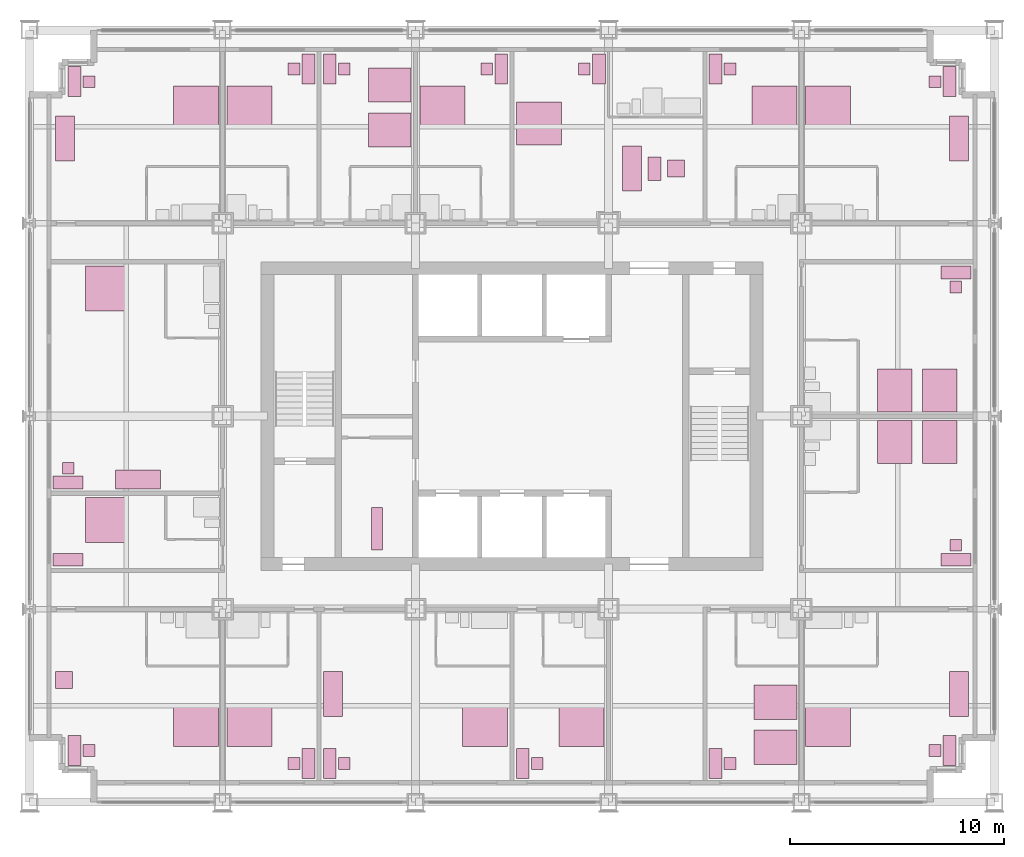
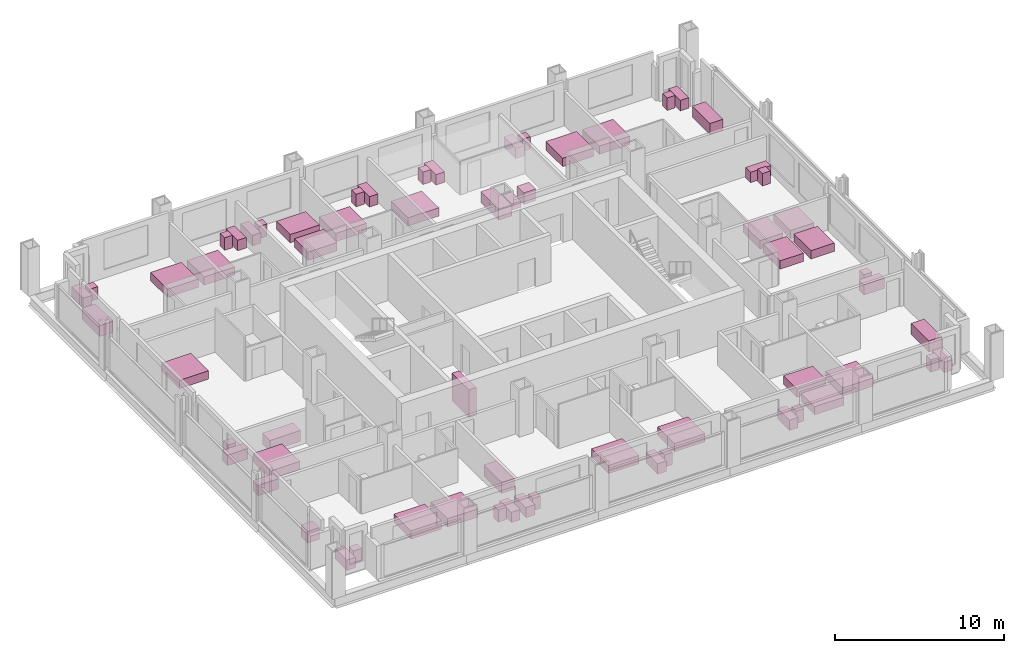
# One storey, part 16 of 16: 64 furniture elements.
"""IFC4 building model written with IfcOpenShell, lengths in metres."""

from ifc_helpers import new_model, si_unit, direction, frame, origin, origin_2d, place, context, subcontext, project, spatial, rectangle, extrude, element, save


model = new_model("IFC4")

# Units and contexts
model_context = context("Model", 3, precision=1e-05, world=origin(), true_north=direction((0.0, 1.0)))
body_context = subcontext(model_context, "Body", "Model", "MODEL_VIEW")
ifc_project = project(units=[si_unit("LENGTHUNIT", "METRE"), si_unit("AREAUNIT", "SQUARE_METRE"), si_unit("VOLUMEUNIT", "CUBIC_METRE"), si_unit("PLANEANGLEUNIT", "RADIAN"), si_unit("MASSUNIT", "GRAM", prefix="KILO")], contexts=[model_context])

# Site, building, storey
site_placement = place(None, origin())
site = spatial("IfcSite", under=ifc_project, at=site_placement, CompositionType="ELEMENT")
building_placement = place(site_placement, origin())
building = spatial("IfcBuilding", under=site, at=building_placement, Name="Loomwork Tower", CompositionType="ELEMENT")
storey_placement = place(building_placement, frame((0.0, 0.0, 97.60009765625)))
storey = spatial("IfcBuildingStorey", under=building, at=storey_placement, Name="L25", CompositionType="ELEMENT", Elevation=97.60009765625)

# Furniture
furniture_1_placement = place(storey_placement, frame((7.75, 3.60009765625, -0.000244140625), z_axis=(0.0, 0.0, 1.0), x_axis=(1.0, 0.0, 0.0)))
element("IfcFurniture", 1, at=furniture_1_placement, inside=storey, Name="King bed L25", PredefinedType="BED", context=body_context, shape_type="SweptSolid", body=[
    extrude(rectangle(XDim=2.10009765625, YDim=2.0, at=origin_2d()), origin(), (0.0, 0.0, 1.0), 0.60009765625),
])
furniture_2_placement = place(storey_placement, frame((2.10009765625, 2.39990234375, 0.0), z_axis=(0.0, 0.0, 1.0), x_axis=(1.0, 0.0, 0.0)))
element("IfcFurniture", 2, at=furniture_2_placement, inside=storey, Name="Writing desk L25", PredefinedType="DESK", context=body_context, shape_type="SweptSolid", body=[
    extrude(rectangle(XDim=0.60009765625, YDim=1.39990234375, at=origin_2d()), origin(), (0.0, 0.0, 1.0), 0.75),
])
furniture_3_placement = place(storey_placement, frame((2.77490234375, 2.39990234375, 0.0), z_axis=(0.0, 0.0, 1.0), x_axis=(1.0, 0.0, 0.0)))
element("IfcFurniture", 3, at=furniture_3_placement, inside=storey, Name="Desk chair L25", PredefinedType="CHAIR", context=body_context, shape_type="SweptSolid", body=[
    extrude(rectangle(XDim=0.550048828125, YDim=0.550048828125, at=origin_2d()), origin(), (0.0, 0.0, 1.0), 0.89990234375),
])
furniture_4_placement = place(storey_placement, frame((1.60009765625, 5.699951171875, -0.000244140625), z_axis=(0.0, 0.0, 1.0), x_axis=(1.0, 0.0, 0.0)))
element("IfcFurniture", 4, at=furniture_4_placement, inside=storey, Name="Lounge armchair L25", PredefinedType="CHAIR", context=body_context, shape_type="SweptSolid", body=[
    extrude(rectangle(XDim=0.800048828125, YDim=0.800048828125, at=origin_2d()), origin(), (0.0, 0.0, 1.0), 0.85009765625),
])
furniture_5_placement = place(storey_placement, frame((10.25, 3.60009765625, -0.000244140625), z_axis=(0.0, 0.0, 1.0), x_axis=(1.0, 0.0, 0.0)))
element("IfcFurniture", 5, at=furniture_5_placement, inside=storey, Name="King bed L25", PredefinedType="BED", context=body_context, shape_type="SweptSolid", body=[
    extrude(rectangle(XDim=2.10009765625, YDim=2.0, at=origin_2d()), origin(), (0.0, 0.0, 1.0), 0.60009765625),
])
furniture_6_placement = place(storey_placement, frame((13.0, 1.800048828125, 0.0), z_axis=(0.0, 0.0, 1.0), x_axis=(1.0, 0.0, 0.0)))
element("IfcFurniture", 6, at=furniture_6_placement, inside=storey, Name="Writing desk L25", PredefinedType="DESK", context=body_context, shape_type="SweptSolid", body=[
    extrude(rectangle(XDim=0.60009765625, YDim=1.39990234375, at=origin_2d()), origin(), (0.0, 0.0, 1.0), 0.75),
])
furniture_7_placement = place(storey_placement, frame((12.324951171875, 1.800048828125, 0.0), z_axis=(0.0, 0.0, 1.0), x_axis=(1.0, 0.0, 0.0)))
element("IfcFurniture", 7, at=furniture_7_placement, inside=storey, Name="Desk chair L25", PredefinedType="CHAIR", context=body_context, shape_type="SweptSolid", body=[
    extrude(rectangle(XDim=0.550048828125, YDim=0.550048828125, at=origin_2d()), origin(), (0.0, 0.0, 1.0), 0.89990234375),
])
furniture_8_placement = place(storey_placement, frame((21.25, 3.60009765625, -0.000244140625), z_axis=(0.0, 0.0, 1.0), x_axis=(1.0, 0.0, 0.0)))
element("IfcFurniture", 8, at=furniture_8_placement, inside=storey, Name="King bed L25", PredefinedType="BED", context=body_context, shape_type="SweptSolid", body=[
    extrude(rectangle(XDim=2.10009765625, YDim=2.0, at=origin_2d()), origin(), (0.0, 0.0, 1.0), 0.60009765625),
])
furniture_9_placement = place(storey_placement, frame((14.0, 1.800048828125, 0.0), z_axis=(0.0, 0.0, 1.0), x_axis=(1.0, 0.0, 0.0)))
element("IfcFurniture", 9, at=furniture_9_placement, inside=storey, Name="Writing desk L25", PredefinedType="DESK", context=body_context, shape_type="SweptSolid", body=[
    extrude(rectangle(XDim=0.60009765625, YDim=1.39990234375, at=origin_2d()), origin(), (0.0, 0.0, 1.0), 0.75),
])
furniture_10_placement = place(storey_placement, frame((14.675048828125, 1.800048828125, 0.0), z_axis=(0.0, 0.0, 1.0), x_axis=(1.0, 0.0, 0.0)))
element("IfcFurniture", 10, at=furniture_10_placement, inside=storey, Name="Desk chair L25", PredefinedType="CHAIR", context=body_context, shape_type="SweptSolid", body=[
    extrude(rectangle(XDim=0.550048828125, YDim=0.550048828125, at=origin_2d()), origin(), (0.0, 0.0, 1.0), 0.89990234375),
])
furniture_11_placement = place(storey_placement, frame((14.14990234375, 5.050048828125, 0.0), z_axis=(0.0, 0.0, 1.0), x_axis=(1.0, 0.0, 0.0)))
element("IfcFurniture", 11, at=furniture_11_placement, inside=storey, Name="Sofa L25", PredefinedType="SOFA", context=body_context, shape_type="SweptSolid", body=[
    extrude(rectangle(XDim=0.89990234375, YDim=2.10009765625, at=origin_2d()), origin(), (0.0, 0.0, 1.0), 0.800048828125),
])
furniture_12_placement = place(storey_placement, frame((25.75, 3.60009765625, -0.000244140625), z_axis=(0.0, 0.0, 1.0), x_axis=(1.0, 0.0, 0.0)))
element("IfcFurniture", 12, at=furniture_12_placement, inside=storey, Name="King bed L25", PredefinedType="BED", context=body_context, shape_type="SweptSolid", body=[
    extrude(rectangle(XDim=2.10009765625, YDim=2.0, at=origin_2d()), origin(), (0.0, 0.0, 1.0), 0.60009765625),
])
furniture_13_placement = place(storey_placement, frame((23.0, 1.800048828125, 0.0), z_axis=(0.0, 0.0, 1.0), x_axis=(1.0, 0.0, 0.0)))
element("IfcFurniture", 13, at=furniture_13_placement, inside=storey, Name="Writing desk L25", PredefinedType="DESK", context=body_context, shape_type="SweptSolid", body=[
    extrude(rectangle(XDim=0.60009765625, YDim=1.39990234375, at=origin_2d()), origin(), (0.0, 0.0, 1.0), 0.75),
])
furniture_14_placement = place(storey_placement, frame((23.675048828125, 1.800048828125, 0.0), z_axis=(0.0, 0.0, 1.0), x_axis=(1.0, 0.0, 0.0)))
element("IfcFurniture", 14, at=furniture_14_placement, inside=storey, Name="Desk chair L25", PredefinedType="CHAIR", context=body_context, shape_type="SweptSolid", body=[
    extrude(rectangle(XDim=0.550048828125, YDim=0.550048828125, at=origin_2d()), origin(), (0.0, 0.0, 1.0), 0.89990234375),
])
for number, where, z_axis, x_axis, name in (
    (15, (34.800048828125, 4.64990234375, -0.000244140625), (0.0, 0.0, 1.0), (1.0, 0.0, 0.0), "Queen bed L25"),
    (16, (34.800048828125, 2.550048828125, -0.000244140625), (0.0, 0.0, 1.0), (1.0, 0.0, 0.0), "Queen bed L25"),
):
    element("IfcFurniture", number, at=place(storey_placement, frame(where, z_axis=z_axis, x_axis=x_axis)), inside=storey, Name=name, PredefinedType="BED", context=body_context, shape_type="SweptSolid", body=[
        extrude(rectangle(XDim=2.0, YDim=1.60009765625, at=origin_2d()), origin(), (0.0, 0.0, 1.0), 0.60009765625),
    ])
furniture_15_placement = place(storey_placement, frame((32.0, 1.800048828125, 0.0), z_axis=(0.0, 0.0, 1.0), x_axis=(1.0, 0.0, 0.0)))
element("IfcFurniture", 17, at=furniture_15_placement, inside=storey, Name="Writing desk L25", PredefinedType="DESK", context=body_context, shape_type="SweptSolid", body=[
    extrude(rectangle(XDim=0.60009765625, YDim=1.39990234375, at=origin_2d()), origin(), (0.0, 0.0, 1.0), 0.75),
])
furniture_16_placement = place(storey_placement, frame((32.675048828125, 1.800048828125, 0.0), z_axis=(0.0, 0.0, 1.0), x_axis=(1.0, 0.0, 0.0)))
element("IfcFurniture", 18, at=furniture_16_placement, inside=storey, Name="Desk chair L25", PredefinedType="CHAIR", context=body_context, shape_type="SweptSolid", body=[
    extrude(rectangle(XDim=0.550048828125, YDim=0.550048828125, at=origin_2d()), origin(), (0.0, 0.0, 1.0), 0.89990234375),
])
furniture_17_placement = place(storey_placement, frame((37.25, 3.60009765625, -0.000244140625), z_axis=(0.0, 0.0, 1.0), x_axis=(1.0, 0.0, 0.0)))
element("IfcFurniture", 19, at=furniture_17_placement, inside=storey, Name="King bed L25", PredefinedType="BED", context=body_context, shape_type="SweptSolid", body=[
    extrude(rectangle(XDim=2.10009765625, YDim=2.0, at=origin_2d()), origin(), (0.0, 0.0, 1.0), 0.60009765625),
])
furniture_18_placement = place(storey_placement, frame((42.89990234375, 2.39990234375, 0.0), z_axis=(0.0, 0.0, 1.0), x_axis=(1.0, 0.0, 0.0)))
element("IfcFurniture", 20, at=furniture_18_placement, inside=storey, Name="Writing desk L25", PredefinedType="DESK", context=body_context, shape_type="SweptSolid", body=[
    extrude(rectangle(XDim=0.60009765625, YDim=1.39990234375, at=origin_2d()), origin(), (0.0, 0.0, 1.0), 0.75),
])
furniture_19_placement = place(storey_placement, frame((42.22509765625, 2.39990234375, 0.0), z_axis=(0.0, 0.0, 1.0), x_axis=(1.0, 0.0, 0.0)))
element("IfcFurniture", 21, at=furniture_19_placement, inside=storey, Name="Desk chair L25", PredefinedType="CHAIR", context=body_context, shape_type="SweptSolid", body=[
    extrude(rectangle(XDim=0.550048828125, YDim=0.550048828125, at=origin_2d()), origin(), (0.0, 0.0, 1.0), 0.89990234375),
])
furniture_20_placement = place(storey_placement, frame((43.35009765625, 5.050048828125, 0.0), z_axis=(0.0, 0.0, 1.0), x_axis=(1.0, 0.0, 0.0)))
element("IfcFurniture", 22, at=furniture_20_placement, inside=storey, Name="Sofa L25", PredefinedType="SOFA", context=body_context, shape_type="SweptSolid", body=[
    extrude(rectangle(XDim=0.89990234375, YDim=2.10009765625, at=origin_2d()), origin(), (0.0, 0.0, 1.0), 0.800048828125),
])
furniture_21_placement = place(storey_placement, frame((7.75, 32.39990234375, -0.000244140625), z_axis=(0.0, 0.0, 1.0), x_axis=(1.0, 0.0, 0.0)))
element("IfcFurniture", 23, at=furniture_21_placement, inside=storey, Name="King bed L25", PredefinedType="BED", context=body_context, shape_type="SweptSolid", body=[
    extrude(rectangle(XDim=2.10009765625, YDim=2.0, at=origin_2d()), origin(), (0.0, 0.0, 1.0), 0.60009765625),
])
furniture_22_placement = place(storey_placement, frame((2.10009765625, 33.60009765625, 0.0), z_axis=(0.0, 0.0, 1.0), x_axis=(1.0, 0.0, 0.0)))
element("IfcFurniture", 24, at=furniture_22_placement, inside=storey, Name="Writing desk L25", PredefinedType="DESK", context=body_context, shape_type="SweptSolid", body=[
    extrude(rectangle(XDim=0.60009765625, YDim=1.39990234375, at=origin_2d()), origin(), (0.0, 0.0, 1.0), 0.75),
])
furniture_23_placement = place(storey_placement, frame((2.77490234375, 33.60009765625, 0.0), z_axis=(0.0, 0.0, 1.0), x_axis=(1.0, 0.0, 0.0)))
element("IfcFurniture", 25, at=furniture_23_placement, inside=storey, Name="Desk chair L25", PredefinedType="CHAIR", context=body_context, shape_type="SweptSolid", body=[
    extrude(rectangle(XDim=0.550048828125, YDim=0.550048828125, at=origin_2d()), origin(), (0.0, 0.0, 1.0), 0.89990234375),
])
furniture_24_placement = place(storey_placement, frame((1.64990234375, 30.949951171875, 0.0), z_axis=(0.0, 0.0, 1.0), x_axis=(1.0, 0.0, 0.0)))
element("IfcFurniture", 26, at=furniture_24_placement, inside=storey, Name="Sofa L25", PredefinedType="SOFA", context=body_context, shape_type="SweptSolid", body=[
    extrude(rectangle(XDim=0.89990234375, YDim=2.10009765625, at=origin_2d()), origin(), (0.0, 0.0, 1.0), 0.800048828125),
])
furniture_25_placement = place(storey_placement, frame((10.25, 32.39990234375, -0.000244140625), z_axis=(0.0, 0.0, 1.0), x_axis=(1.0, 0.0, 0.0)))
element("IfcFurniture", 27, at=furniture_25_placement, inside=storey, Name="King bed L25", PredefinedType="BED", context=body_context, shape_type="SweptSolid", body=[
    extrude(rectangle(XDim=2.10009765625, YDim=2.0, at=origin_2d()), origin(), (0.0, 0.0, 1.0), 0.60009765625),
])
furniture_26_placement = place(storey_placement, frame((13.0, 34.199951171875, 0.0), z_axis=(0.0, 0.0, 1.0), x_axis=(1.0, 0.0, 0.0)))
element("IfcFurniture", 28, at=furniture_26_placement, inside=storey, Name="Writing desk L25", PredefinedType="DESK", context=body_context, shape_type="SweptSolid", body=[
    extrude(rectangle(XDim=0.60009765625, YDim=1.39990234375, at=origin_2d()), origin(), (0.0, 0.0, 1.0), 0.75),
])
furniture_27_placement = place(storey_placement, frame((12.324951171875, 34.199951171875, 0.0), z_axis=(0.0, 0.0, 1.0), x_axis=(1.0, 0.0, 0.0)))
element("IfcFurniture", 29, at=furniture_27_placement, inside=storey, Name="Desk chair L25", PredefinedType="CHAIR", context=body_context, shape_type="SweptSolid", body=[
    extrude(rectangle(XDim=0.550048828125, YDim=0.550048828125, at=origin_2d()), origin(), (0.0, 0.0, 1.0), 0.89990234375),
])
for number, where, z_axis, x_axis, name in (
    (30, (16.800048828125, 31.35009765625, -0.000244140625), (0.0, 0.0, 1.0), (1.0, 0.0, 0.0), "Queen bed L25"),
    (31, (16.800048828125, 33.449951171875, -0.000244140625), (0.0, 0.0, 1.0), (1.0, 0.0, 0.0), "Queen bed L25"),
):
    element("IfcFurniture", number, at=place(storey_placement, frame(where, z_axis=z_axis, x_axis=x_axis)), inside=storey, Name=name, PredefinedType="BED", context=body_context, shape_type="SweptSolid", body=[
        extrude(rectangle(XDim=2.0, YDim=1.60009765625, at=origin_2d()), origin(), (0.0, 0.0, 1.0), 0.60009765625),
    ])
furniture_28_placement = place(storey_placement, frame((14.0, 34.199951171875, 0.0), z_axis=(0.0, 0.0, 1.0), x_axis=(1.0, 0.0, 0.0)))
element("IfcFurniture", 32, at=furniture_28_placement, inside=storey, Name="Writing desk L25", PredefinedType="DESK", context=body_context, shape_type="SweptSolid", body=[
    extrude(rectangle(XDim=0.60009765625, YDim=1.39990234375, at=origin_2d()), origin(), (0.0, 0.0, 1.0), 0.75),
])
furniture_29_placement = place(storey_placement, frame((14.675048828125, 34.199951171875, 0.0), z_axis=(0.0, 0.0, 1.0), x_axis=(1.0, 0.0, 0.0)))
element("IfcFurniture", 33, at=furniture_29_placement, inside=storey, Name="Desk chair L25", PredefinedType="CHAIR", context=body_context, shape_type="SweptSolid", body=[
    extrude(rectangle(XDim=0.550048828125, YDim=0.550048828125, at=origin_2d()), origin(), (0.0, 0.0, 1.0), 0.89990234375),
])
furniture_30_placement = place(storey_placement, frame((19.25, 32.39990234375, -0.000244140625), z_axis=(0.0, 0.0, 1.0), x_axis=(1.0, 0.0, 0.0)))
element("IfcFurniture", 34, at=furniture_30_placement, inside=storey, Name="King bed L25", PredefinedType="BED", context=body_context, shape_type="SweptSolid", body=[
    extrude(rectangle(XDim=2.10009765625, YDim=2.0, at=origin_2d()), origin(), (0.0, 0.0, 1.0), 0.60009765625),
])
furniture_31_placement = place(storey_placement, frame((22.0, 34.199951171875, 0.0), z_axis=(0.0, 0.0, 1.0), x_axis=(1.0, 0.0, 0.0)))
element("IfcFurniture", 35, at=furniture_31_placement, inside=storey, Name="Writing desk L25", PredefinedType="DESK", context=body_context, shape_type="SweptSolid", body=[
    extrude(rectangle(XDim=0.60009765625, YDim=1.39990234375, at=origin_2d()), origin(), (0.0, 0.0, 1.0), 0.75),
])
furniture_32_placement = place(storey_placement, frame((21.324951171875, 34.199951171875, 0.0), z_axis=(0.0, 0.0, 1.0), x_axis=(1.0, 0.0, 0.0)))
element("IfcFurniture", 36, at=furniture_32_placement, inside=storey, Name="Desk chair L25", PredefinedType="CHAIR", context=body_context, shape_type="SweptSolid", body=[
    extrude(rectangle(XDim=0.550048828125, YDim=0.550048828125, at=origin_2d()), origin(), (0.0, 0.0, 1.0), 0.89990234375),
])
furniture_33_placement = place(storey_placement, frame((23.75, 31.64990234375, -0.000244140625), z_axis=(0.0, 0.0, 1.0), x_axis=(1.0, 0.0, 0.0)))
element("IfcFurniture", 37, at=furniture_33_placement, inside=storey, Name="King bed L25", PredefinedType="BED", context=body_context, shape_type="SweptSolid", body=[
    extrude(rectangle(XDim=2.10009765625, YDim=2.0, at=origin_2d()), origin(), (0.0, 0.0, 1.0), 0.60009765625),
])
furniture_34_placement = place(storey_placement, frame((26.550048828125, 34.199951171875, 0.0), z_axis=(0.0, 0.0, 1.0), x_axis=(1.0, 0.0, 0.0)))
element("IfcFurniture", 38, at=furniture_34_placement, inside=storey, Name="Writing desk L25", PredefinedType="DESK", context=body_context, shape_type="SweptSolid", body=[
    extrude(rectangle(XDim=0.60009765625, YDim=1.39990234375, at=origin_2d()), origin(), (0.0, 0.0, 1.0), 0.75),
])
furniture_35_placement = place(storey_placement, frame((25.875, 34.199951171875, 0.0), z_axis=(0.0, 0.0, 1.0), x_axis=(1.0, 0.0, 0.0)))
element("IfcFurniture", 39, at=furniture_35_placement, inside=storey, Name="Desk chair L25", PredefinedType="CHAIR", context=body_context, shape_type="SweptSolid", body=[
    extrude(rectangle(XDim=0.550048828125, YDim=0.550048828125, at=origin_2d()), origin(), (0.0, 0.0, 1.0), 0.89990234375),
])
furniture_36_placement = place(storey_placement, frame((28.10009765625, 29.550048828125, 0.0), z_axis=(0.0, 0.0, 1.0), x_axis=(1.0, 0.0, 0.0)))
element("IfcFurniture", 40, at=furniture_36_placement, inside=storey, Name="Sofa L25", PredefinedType="SOFA", context=body_context, shape_type="SweptSolid", body=[
    extrude(rectangle(XDim=0.89990234375, YDim=2.10009765625, at=origin_2d()), origin(), (0.0, 0.0, 1.0), 0.800048828125),
])
furniture_37_placement = place(storey_placement, frame((29.14990234375, 29.550048828125, 0.0), z_axis=(0.0, 0.0, 1.0), x_axis=(1.0, 0.0, 0.0)))
element("IfcFurniture", 41, at=furniture_37_placement, inside=storey, Name="Coffee table L25", PredefinedType="TABLE", context=body_context, shape_type="SweptSolid", body=[
    extrude(rectangle(XDim=0.60009765625, YDim=1.10009765625, at=origin_2d()), origin(), (0.0, 0.0, 1.0), 0.449951171875),
])
furniture_38_placement = place(storey_placement, frame((30.14990234375, 29.550048828125, -0.000244140625), z_axis=(0.0, 0.0, 1.0), x_axis=(1.0, 0.0, 0.0)))
element("IfcFurniture", 42, at=furniture_38_placement, inside=storey, Name="Lounge armchair L25", PredefinedType="CHAIR", context=body_context, shape_type="SweptSolid", body=[
    extrude(rectangle(XDim=0.800048828125, YDim=0.800048828125, at=origin_2d()), origin(), (0.0, 0.0, 1.0), 0.85009765625),
])
furniture_39_placement = place(storey_placement, frame((34.75, 32.39990234375, -0.000244140625), z_axis=(0.0, 0.0, 1.0), x_axis=(1.0, 0.0, 0.0)))
element("IfcFurniture", 43, at=furniture_39_placement, inside=storey, Name="King bed L25", PredefinedType="BED", context=body_context, shape_type="SweptSolid", body=[
    extrude(rectangle(XDim=2.10009765625, YDim=2.0, at=origin_2d()), origin(), (0.0, 0.0, 1.0), 0.60009765625),
])
furniture_40_placement = place(storey_placement, frame((32.0, 34.199951171875, 0.0), z_axis=(0.0, 0.0, 1.0), x_axis=(1.0, 0.0, 0.0)))
element("IfcFurniture", 44, at=furniture_40_placement, inside=storey, Name="Writing desk L25", PredefinedType="DESK", context=body_context, shape_type="SweptSolid", body=[
    extrude(rectangle(XDim=0.60009765625, YDim=1.39990234375, at=origin_2d()), origin(), (0.0, 0.0, 1.0), 0.75),
])
furniture_41_placement = place(storey_placement, frame((32.675048828125, 34.199951171875, 0.0), z_axis=(0.0, 0.0, 1.0), x_axis=(1.0, 0.0, 0.0)))
element("IfcFurniture", 45, at=furniture_41_placement, inside=storey, Name="Desk chair L25", PredefinedType="CHAIR", context=body_context, shape_type="SweptSolid", body=[
    extrude(rectangle(XDim=0.550048828125, YDim=0.550048828125, at=origin_2d()), origin(), (0.0, 0.0, 1.0), 0.89990234375),
])
furniture_42_placement = place(storey_placement, frame((37.25, 32.39990234375, -0.000244140625), z_axis=(0.0, 0.0, 1.0), x_axis=(1.0, 0.0, 0.0)))
element("IfcFurniture", 46, at=furniture_42_placement, inside=storey, Name="King bed L25", PredefinedType="BED", context=body_context, shape_type="SweptSolid", body=[
    extrude(rectangle(XDim=2.10009765625, YDim=2.0, at=origin_2d()), origin(), (0.0, 0.0, 1.0), 0.60009765625),
])
furniture_43_placement = place(storey_placement, frame((42.89990234375, 33.60009765625, 0.0), z_axis=(0.0, 0.0, 1.0), x_axis=(1.0, 0.0, 0.0)))
element("IfcFurniture", 47, at=furniture_43_placement, inside=storey, Name="Writing desk L25", PredefinedType="DESK", context=body_context, shape_type="SweptSolid", body=[
    extrude(rectangle(XDim=0.60009765625, YDim=1.39990234375, at=origin_2d()), origin(), (0.0, 0.0, 1.0), 0.75),
])
furniture_44_placement = place(storey_placement, frame((42.22509765625, 33.60009765625, 0.0), z_axis=(0.0, 0.0, 1.0), x_axis=(1.0, 0.0, 0.0)))
element("IfcFurniture", 48, at=furniture_44_placement, inside=storey, Name="Desk chair L25", PredefinedType="CHAIR", context=body_context, shape_type="SweptSolid", body=[
    extrude(rectangle(XDim=0.550048828125, YDim=0.550048828125, at=origin_2d()), origin(), (0.0, 0.0, 1.0), 0.89990234375),
])
furniture_45_placement = place(storey_placement, frame((43.35009765625, 30.949951171875, 0.0), z_axis=(0.0, 0.0, 1.0), x_axis=(1.0, 0.0, 0.0)))
element("IfcFurniture", 49, at=furniture_45_placement, inside=storey, Name="Sofa L25", PredefinedType="SOFA", context=body_context, shape_type="SweptSolid", body=[
    extrude(rectangle(XDim=0.89990234375, YDim=2.10009765625, at=origin_2d()), origin(), (0.0, 0.0, 1.0), 0.800048828125),
])
furniture_46_placement = place(storey_placement, frame((3.60009765625, 13.14990234375, -0.000244140625), z_axis=(0.0, 0.0, 1.0), x_axis=(1.0, 0.0, 0.0)))
element("IfcFurniture", 50, at=furniture_46_placement, inside=storey, Name="King bed L25", PredefinedType="BED", context=body_context, shape_type="SweptSolid", body=[
    extrude(rectangle(XDim=2.0, YDim=2.10009765625, at=origin_2d()), origin(), (0.0, 0.0, 1.0), 0.60009765625),
])
furniture_47_placement = place(storey_placement, frame((1.800048828125, 11.300048828125, 0.0), z_axis=(0.0, 0.0, 1.0), x_axis=(1.0, 0.0, 0.0)))
element("IfcFurniture", 51, at=furniture_47_placement, inside=storey, Name="Writing desk L25", PredefinedType="DESK", context=body_context, shape_type="SweptSolid", body=[
    extrude(rectangle(XDim=1.39990234375, YDim=0.60009765625, at=origin_2d()), origin(), (0.0, 0.0, 1.0), 0.75),
])
furniture_48_placement = place(storey_placement, frame((3.60009765625, 23.949951171875, -0.000244140625), z_axis=(0.0, 0.0, 1.0), x_axis=(1.0, 0.0, 0.0)))
element("IfcFurniture", 52, at=furniture_48_placement, inside=storey, Name="King bed L25", PredefinedType="BED", context=body_context, shape_type="SweptSolid", body=[
    extrude(rectangle(XDim=2.0, YDim=2.10009765625, at=origin_2d()), origin(), (0.0, 0.0, 1.0), 0.60009765625),
])
furniture_49_placement = place(storey_placement, frame((1.800048828125, 14.89990234375, 0.0), z_axis=(0.0, 0.0, 1.0), x_axis=(1.0, 0.0, 0.0)))
element("IfcFurniture", 53, at=furniture_49_placement, inside=storey, Name="Writing desk L25", PredefinedType="DESK", context=body_context, shape_type="SweptSolid", body=[
    extrude(rectangle(XDim=1.39990234375, YDim=0.60009765625, at=origin_2d()), origin(), (0.0, 0.0, 1.0), 0.75),
])
furniture_50_placement = place(storey_placement, frame((1.800048828125, 15.574951171875, 0.0), z_axis=(0.0, 0.0, 1.0), x_axis=(1.0, 0.0, 0.0)))
element("IfcFurniture", 54, at=furniture_50_placement, inside=storey, Name="Desk chair L25", PredefinedType="CHAIR", context=body_context, shape_type="SweptSolid", body=[
    extrude(rectangle(XDim=0.550048828125, YDim=0.550048828125, at=origin_2d()), origin(), (0.0, 0.0, 1.0), 0.89990234375),
])
furniture_51_placement = place(storey_placement, frame((5.050048828125, 15.050048828125, 0.0), z_axis=(0.0, 0.0, 1.0), x_axis=(1.0, 0.0, 0.0)))
element("IfcFurniture", 55, at=furniture_51_placement, inside=storey, Name="Sofa L25", PredefinedType="SOFA", context=body_context, shape_type="SweptSolid", body=[
    extrude(rectangle(XDim=2.10009765625, YDim=0.89990234375, at=origin_2d()), origin(), (0.0, 0.0, 1.0), 0.800048828125),
])
for number, where, z_axis, x_axis, name in (
    (56, (40.35009765625, 16.800048828125, -0.000244140625), (0.0, 0.0, 1.0), (1.0, 0.0, 0.0), "Queen bed L25"),
    (57, (42.449951171875, 16.800048828125, -0.000244140625), (0.0, 0.0, 1.0), (1.0, 0.0, 0.0), "Queen bed L25"),
):
    element("IfcFurniture", number, at=place(storey_placement, frame(where, z_axis=z_axis, x_axis=x_axis)), inside=storey, Name=name, PredefinedType="BED", context=body_context, shape_type="SweptSolid", body=[
        extrude(rectangle(XDim=1.60009765625, YDim=2.0, at=origin_2d()), origin(), (0.0, 0.0, 1.0), 0.60009765625),
    ])
furniture_52_placement = place(storey_placement, frame((43.199951171875, 11.300048828125, 0.0), z_axis=(0.0, 0.0, 1.0), x_axis=(1.0, 0.0, 0.0)))
element("IfcFurniture", 58, at=furniture_52_placement, inside=storey, Name="Writing desk L25", PredefinedType="DESK", context=body_context, shape_type="SweptSolid", body=[
    extrude(rectangle(XDim=1.39990234375, YDim=0.60009765625, at=origin_2d()), origin(), (0.0, 0.0, 1.0), 0.75),
])
furniture_53_placement = place(storey_placement, frame((43.199951171875, 11.97509765625, 0.0), z_axis=(0.0, 0.0, 1.0), x_axis=(1.0, 0.0, 0.0)))
element("IfcFurniture", 59, at=furniture_53_placement, inside=storey, Name="Desk chair L25", PredefinedType="CHAIR", context=body_context, shape_type="SweptSolid", body=[
    extrude(rectangle(XDim=0.550048828125, YDim=0.550048828125, at=origin_2d()), origin(), (0.0, 0.0, 1.0), 0.89990234375),
])
for number, where, z_axis, x_axis, name in (
    (60, (40.35009765625, 19.199951171875, -0.000244140625), (0.0, 0.0, 1.0), (1.0, 0.0, 0.0), "Queen bed L25"),
    (61, (42.449951171875, 19.199951171875, -0.000244140625), (0.0, 0.0, 1.0), (1.0, 0.0, 0.0), "Queen bed L25"),
):
    element("IfcFurniture", number, at=place(storey_placement, frame(where, z_axis=z_axis, x_axis=x_axis)), inside=storey, Name=name, PredefinedType="BED", context=body_context, shape_type="SweptSolid", body=[
        extrude(rectangle(XDim=1.60009765625, YDim=2.0, at=origin_2d()), origin(), (0.0, 0.0, 1.0), 0.60009765625),
    ])
furniture_54_placement = place(storey_placement, frame((43.199951171875, 24.699951171875, 0.0), z_axis=(0.0, 0.0, 1.0), x_axis=(1.0, 0.0, 0.0)))
element("IfcFurniture", 62, at=furniture_54_placement, inside=storey, Name="Writing desk L25", PredefinedType="DESK", context=body_context, shape_type="SweptSolid", body=[
    extrude(rectangle(XDim=1.39990234375, YDim=0.60009765625, at=origin_2d()), origin(), (0.0, 0.0, 1.0), 0.75),
])
furniture_55_placement = place(storey_placement, frame((43.199951171875, 24.02490234375, 0.0), z_axis=(0.0, 0.0, 1.0), x_axis=(1.0, 0.0, 0.0)))
element("IfcFurniture", 63, at=furniture_55_placement, inside=storey, Name="Desk chair L25", PredefinedType="CHAIR", context=body_context, shape_type="SweptSolid", body=[
    extrude(rectangle(XDim=0.550048828125, YDim=0.550048828125, at=origin_2d()), origin(), (0.0, 0.0, 1.0), 0.89990234375),
])
furniture_56_placement = place(storey_placement, frame((16.199951171875, 12.75, 0.0), z_axis=(0.0, 0.0, 1.0), x_axis=(1.0, 0.0, 0.0)))
element("IfcFurniture", 64, at=furniture_56_placement, inside=storey, Name="Linen shelving L25", PredefinedType="SHELF", context=body_context, shape_type="SweptSolid", body=[
    extrude(rectangle(XDim=0.5, YDim=2.0, at=origin_2d()), origin(), (0.0, 0.0, 1.0), 2.0),
])

save(model, "model.ifc")
